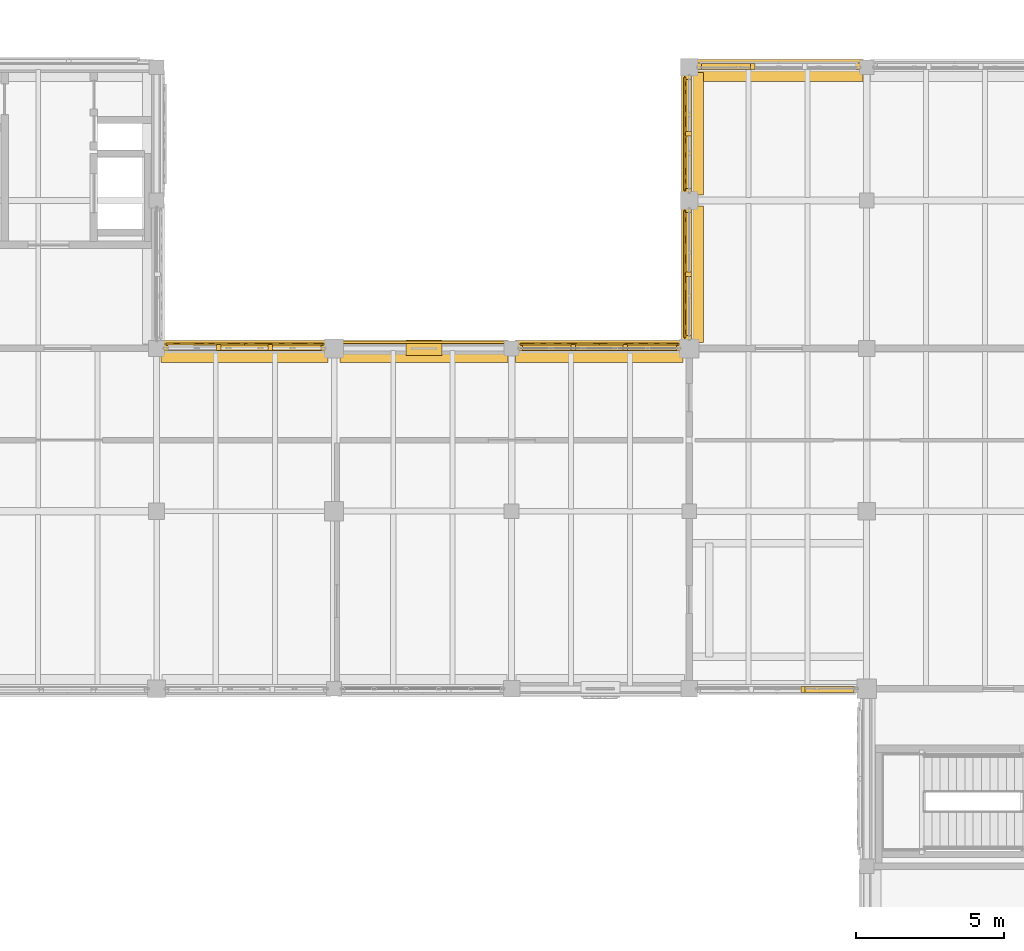
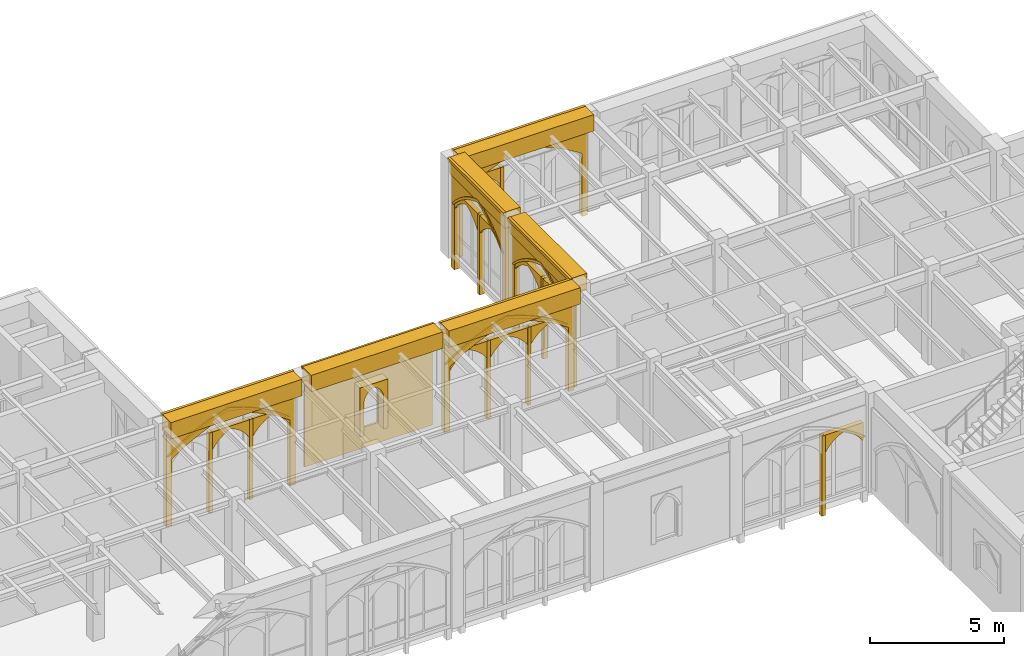
# One storey, part 123 of 143: 42 coverings.
"""IFC4 building model written with IfcOpenShell, lengths in metres."""

from ifc_helpers import new_model, si_unit, direction, frame, origin, origin_2d, place, context, subcontext, project, spatial, polyline, rectangle, outline, extrude, material, type_object, element, save


model = new_model("IFC4")

# Units and contexts
model_context = context("Model", 3, precision=1e-05, world=origin(), true_north=direction((0.0, 1.0)))
body_context = subcontext(model_context, "Body", "Model", "MODEL_VIEW")
ifc_project = project(units=[si_unit("LENGTHUNIT", "METRE"), si_unit("AREAUNIT", "SQUARE_METRE"), si_unit("VOLUMEUNIT", "CUBIC_METRE"), si_unit("PLANEANGLEUNIT", "RADIAN"), si_unit("MASSUNIT", "GRAM", prefix="KILO")], contexts=[model_context])

# Site, building, storey
site_placement = place(None, origin())
site = spatial("IfcSite", under=ifc_project, at=site_placement, CompositionType="ELEMENT")
building_placement = place(site_placement, origin())
building = spatial("IfcBuilding", under=site, at=building_placement, Name="Cumevento Cable Car Station", CompositionType="ELEMENT")
storey_placement = place(building_placement, frame((0.0, 0.0, 9.0)))
storey = spatial("IfcBuildingStorey", under=building, at=storey_placement, Name="L03", CompositionType="ELEMENT", Elevation=9.0)

# Coverings
ifc_material = material(Name="Gnaisse Facoidal Stone Ashlar 85 MPa", Category="masonry")
covering_type = type_object("IfcCoveringType", Name="Gnaisse Ashlar Cladding CV-CL01", PredefinedType="CLADDING", material=ifc_material)
covering_1_placement = place(storey_placement, frame((36.97509765625, 56.35009765625, 3.796875), z_axis=(0.0, 0.0, 1.0), x_axis=(1.0, 0.0, 0.0)))
element("IfcCovering", 1, at=covering_1_placement, inside=storey, type_object=covering_type, Name="Gothic Stone Spandrel Stringcourse sc:0631", PredefinedType="CLADDING", context=body_context, shape_type="SweptSolid", body=[
    extrude(rectangle(XDim=5.639892578125, YDim=0.659912109375, at=origin_2d()), origin(), (0.0, 0.0, 1.0), 0.7470703125),
])
covering_2_placement = place(storey_placement, frame((36.97509765625, 56.70751953125, 4.4140625), z_axis=(0.0, 0.0, 1.0), x_axis=(1.0, 0.0, 0.0)))
element("IfcCovering", 2, at=covering_2_placement, inside=storey, type_object=covering_type, Name="Gothic Cornice Dripstone Lip sc:0631", PredefinedType="CLADDING", context=body_context, shape_type="SweptSolid", body=[
    extrude(rectangle(XDim=5.679931640625, YDim=0.114990234375, at=origin_2d()), origin(), (0.0, 0.0, 1.0), 0.1298828125),
])
covering_3_placement = place(storey_placement, frame((43.03759765625, 56.35009765625, 3.8330078125), z_axis=(0.0, 0.0, 1.0), x_axis=(1.0, 0.0, 0.0)))
element("IfcCovering", 3, at=covering_3_placement, inside=storey, type_object=covering_type, Name="Gothic Stone Spandrel Stringcourse sc:0632", PredefinedType="CLADDING", context=body_context, shape_type="SweptSolid", body=[
    extrude(rectangle(XDim=5.6650390625, YDim=0.659912109375, at=origin_2d()), origin(), (0.0, 0.0, 1.0), 0.7470703125),
])
covering_4_placement = place(storey_placement, frame((43.03759765625, 56.70751953125, 4.449951171875), z_axis=(0.0, 0.0, 1.0), x_axis=(1.0, 0.0, 0.0)))
element("IfcCovering", 4, at=covering_4_placement, inside=storey, type_object=covering_type, Name="Gothic Cornice Dripstone Lip sc:0632", PredefinedType="CLADDING", context=body_context, shape_type="SweptSolid", body=[
    extrude(rectangle(XDim=5.705078125, YDim=0.114990234375, at=origin_2d()), origin(), (0.0, 0.0, 1.0), 0.1298828125),
])
covering_5_placement = place(storey_placement, frame((48.96240234375, 56.35009765625, 3.77294921875), z_axis=(0.0, 0.0, 1.0), x_axis=(1.0, 0.0, 0.0)))
element("IfcCovering", 5, at=covering_5_placement, inside=storey, type_object=covering_type, Name="Gothic Stone Spandrel Stringcourse sc:0633", PredefinedType="CLADDING", context=body_context, shape_type="SweptSolid", body=[
    extrude(rectangle(XDim=5.6650390625, YDim=0.659912109375, at=origin_2d()), origin(), (0.0, 0.0, 1.0), 0.7470703125),
])
covering_6_placement = place(storey_placement, frame((48.96240234375, 56.70751953125, 4.39013671875), z_axis=(0.0, 0.0, 1.0), x_axis=(1.0, 0.0, 0.0)))
element("IfcCovering", 6, at=covering_6_placement, inside=storey, type_object=covering_type, Name="Gothic Cornice Dripstone Lip sc:0633", PredefinedType="CLADDING", context=body_context, shape_type="SweptSolid", body=[
    extrude(rectangle(XDim=5.705078125, YDim=0.114990234375, at=origin_2d()), origin(), (0.0, 0.0, 1.0), 0.1298828125),
])
covering_7_placement = place(storey_placement, frame((55.02490234375, 65.85009765625, 3.77294921875), z_axis=(0.0, 0.0, 1.0), x_axis=(1.0, 0.0, 0.0)))
element("IfcCovering", 7, at=covering_7_placement, inside=storey, type_object=covering_type, Name="Gothic Stone Spandrel Stringcourse sc:0658", PredefinedType="CLADDING", context=body_context, shape_type="SweptSolid", body=[
    extrude(rectangle(XDim=5.68994140625, YDim=0.659912109375, at=origin_2d()), origin(), (0.0, 0.0, 1.0), 0.7470703125),
])
covering_8_placement = place(storey_placement, frame((55.02490234375, 66.20751953125, 4.39013671875), z_axis=(0.0, 0.0, 1.0), x_axis=(1.0, 0.0, 0.0)))
element("IfcCovering", 8, at=covering_8_placement, inside=storey, type_object=covering_type, Name="Gothic Cornice Dripstone Lip sc:0658", PredefinedType="CLADDING", context=body_context, shape_type="SweptSolid", body=[
    extrude(rectangle(XDim=5.72998046875, YDim=0.114990234375, at=origin_2d()), origin(), (0.0, 0.0, 1.0), 0.1298828125),
])
covering_9_placement = place(storey_placement, frame((52.14990234375, 59.012451171875, 3.77294921875), z_axis=(0.0, 0.0, 1.0), x_axis=(0.0, 1.0, 0.0)))
element("IfcCovering", 9, at=covering_9_placement, inside=storey, type_object=covering_type, Name="Gothic Stone Spandrel Stringcourse sc:0661", PredefinedType="CLADDING", context=body_context, shape_type="SweptSolid", body=[
    extrude(rectangle(XDim=4.614990234375, YDim=0.659912109375, at=origin_2d()), origin(), (0.0, 0.0, 1.0), 0.7470703125),
])
covering_10_placement = place(storey_placement, frame((51.79248046875, 59.012451171875, 4.39013671875), z_axis=(0.0, 0.0, 1.0), x_axis=(0.0, 1.0, 0.0)))
element("IfcCovering", 10, at=covering_10_placement, inside=storey, type_object=covering_type, Name="Gothic Cornice Dripstone Lip sc:0661", PredefinedType="CLADDING", context=body_context, shape_type="SweptSolid", body=[
    extrude(rectangle(XDim=4.655029296875, YDim=0.114990234375, at=origin_2d()), origin(), (0.0, 0.0, 1.0), 0.1298828125),
])
covering_11_placement = place(storey_placement, frame((52.14990234375, 63.75, 3.77294921875), z_axis=(0.0, 0.0, 1.0), x_axis=(0.0, 1.0, 0.0)))
element("IfcCovering", 11, at=covering_11_placement, inside=storey, type_object=covering_type, Name="Gothic Stone Spandrel Stringcourse sc:0662", PredefinedType="CLADDING", context=body_context, shape_type="SweptSolid", body=[
    extrude(rectangle(XDim=4.139892578125, YDim=0.659912109375, at=origin_2d()), origin(), (0.0, 0.0, 1.0), 0.7470703125),
])
covering_12_placement = place(storey_placement, frame((51.79248046875, 63.75, 4.39013671875), z_axis=(0.0, 0.0, 1.0), x_axis=(0.0, 1.0, 0.0)))
element("IfcCovering", 12, at=covering_12_placement, inside=storey, type_object=covering_type, Name="Gothic Cornice Dripstone Lip sc:0662", PredefinedType="CLADDING", context=body_context, shape_type="SweptSolid", body=[
    extrude(rectangle(XDim=4.179931640625, YDim=0.114990234375, at=origin_2d()), origin(), (0.0, 0.0, 1.0), 0.1298828125),
])
placement_1 = place(storey_placement, frame((34.27490234375, 56.5, -0.469970703125), z_axis=(0.0, 0.0, 1.0), x_axis=(1.0, 0.0, 0.0)))
element("IfcCovering", 13, at=placement_1, inside=storey, type_object=covering_type, Name="Gothic Ogival Pointed-Arch Stone Spandrel cw_ogival:0097", PredefinedType="CLADDING", context=body_context, shape_type="SweptSolid", body=[
    extrude(outline(polyline([(-0.080078125, 0.0), (-0.080078125, 4.406982421875), (5.47998046875, 4.406982421875), (5.47998046875, 0.0), (5.239990234375, 0.0), (5.239990234375, 3.01416015625), (4.95166015625, 3.218017578125), (4.653564453125, 3.4072265625), (4.34619140625, 3.5810546875), (4.0302734375, 3.7392578125), (3.70703125, 3.88134765625), (3.376953125, 4.0068359375), (3.041015625, 4.115478515625), (2.699951171875, 4.20703125), (2.35888671875, 4.115478515625), (2.02294921875, 4.0068359375), (1.69287109375, 3.88134765625), (1.36962890625, 3.7392578125), (1.0537109375, 3.5810546875), (0.746337890625, 3.4072265625), (0.4482421875, 3.218017578125), (0.159912109375, 3.01416015625), (0.159912109375, 0.0), (-0.080078125, 0.0)])), frame((0.0, 0.139892578125, 0.0), z_axis=(0.0, -1.0, 0.0), x_axis=(1.0, 0.0, 0.0)), (0.0, 0.0, 1.0), 0.219970703125),
])
covering_14_placement = place(storey_placement, frame((34.27490234375, 56.5, 2.544189453125), z_axis=(0.0, 0.0, 1.0), x_axis=(1.0, 0.0, 0.0)))
element("IfcCovering", 14, at=covering_14_placement, inside=storey, type_object=covering_type, Name="Gothic Pointed Archivolt Hood Moulding cw_ogival:0097", PredefinedType="CLADDING", context=body_context, shape_type="SweptSolid", body=[
    extrude(outline(polyline([(0.159912109375, 0.0), (0.4482421875, 0.203857421875), (0.746337890625, 0.39306640625), (1.0537109375, 0.56689453125), (1.36962890625, 0.72509765625), (1.69287109375, 0.8671875), (2.02294921875, 0.99267578125), (2.35888671875, 1.101318359375), (2.699951171875, 1.19287109375), (3.041015625, 1.101318359375), (3.376953125, 0.99267578125), (3.70703125, 0.8671875), (4.0302734375, 0.72509765625), (4.34619140625, 0.56689453125), (4.653564453125, 0.39306640625), (4.95166015625, 0.203857421875), (5.239990234375, 0.0), (5.35009765625, 0.0), (5.05322265625, 0.226806640625), (4.744873046875, 0.437255859375), (4.425537109375, 0.631103515625), (4.096435546875, 0.8076171875), (3.75830078125, 0.966064453125), (3.412109375, 1.1064453125), (3.05908203125, 1.22802734375), (2.699951171875, 1.330322265625), (2.3408203125, 1.22802734375), (1.98779296875, 1.1064453125), (1.6416015625, 0.966064453125), (1.303466796875, 0.8076171875), (0.974365234375, 0.631103515625), (0.655029296875, 0.437255859375), (0.3466796875, 0.226806640625), (0.050048828125, 0.0), (0.159912109375, 0.0)])), frame((0.0, 0.181884765625, 0.0), z_axis=(0.0, -1.0, 0.0), x_axis=(1.0, 0.0, 0.0)), (0.0, 0.0, 1.0), 0.06689453125),
])
element("IfcCovering", 15, at=placement_1, inside=storey, type_object=covering_type, Name="Gothic Bifora Stone Colonnette cw_ogival:0097 #1", PredefinedType="CLADDING", context=body_context, shape_type="SweptSolid", body=[
    extrude(outline(polyline([(1.75341796875, -0.02001953125), (1.9033203125, -0.02001953125), (1.9033203125, 3.634521484375), (1.75341796875, 3.634521484375), (1.75341796875, -0.02001953125)])), frame((0.0, 0.1279296875, 0.0), z_axis=(0.0, -1.0, 0.0), x_axis=(1.0, 0.0, 0.0)), (0.0, 0.0, 1.0), 0.205078125),
])
element("IfcCovering", 16, at=placement_1, inside=storey, type_object=covering_type, Name="Gothic Bifora Stone Colonnette cw_ogival:0097 #2", PredefinedType="CLADDING", context=body_context, shape_type="SweptSolid", body=[
    extrude(outline(polyline([(3.49658203125, -0.02001953125), (3.646728515625, -0.02001953125), (3.646728515625, 3.634521484375), (3.49658203125, 3.634521484375), (3.49658203125, -0.02001953125)])), frame((0.0, 0.1279296875, 0.0), z_axis=(0.0, -1.0, 0.0), x_axis=(1.0, 0.0, 0.0)), (0.0, 0.0, 1.0), 0.205078125),
])
for number, where, z_axis, x_axis, name in (
    (17, (36.1484375, 56.5, 2.364013671875), (0.0, 0.0, 1.0), (1.0, 0.0, 0.0), "Gothic Ogival Pointed-Arch Stone Spandrel cw_ogival:0097:sub:1"),
    (18, (37.8916015625, 56.5, 2.364013671875), (0.0, 0.0, 1.0), (1.0, 0.0, 0.0), "Gothic Ogival Pointed-Arch Stone Spandrel cw_ogival:0097:sub:2"),
):
    element("IfcCovering", number, at=place(storey_placement, frame(where, z_axis=z_axis, x_axis=x_axis)), inside=storey, type_object=covering_type, Name=name, PredefinedType="CLADDING", context=body_context, shape_type="SweptSolid", body=[
        extrude(outline(polyline([(-0.02001953125, 0.0), (-0.02001953125, 0.80029296875), (1.67333984375, 0.80029296875), (1.67333984375, 0.0), (1.61328125, 0.0), (1.51611328125, 0.147216796875), (1.403076171875, 0.28271484375), (1.2763671875, 0.4052734375), (1.13671875, 0.51318359375), (0.986328125, 0.605224609375), (0.82666015625, 0.680419921875), (0.6669921875, 0.605224609375), (0.5166015625, 0.51318359375), (0.376953125, 0.4052734375), (0.250244140625, 0.28271484375), (0.13720703125, 0.147216796875), (0.0400390625, 0.0), (-0.02001953125, 0.0)])), frame((0.0, 0.1240234375, 0.0), z_axis=(0.0, -1.0, 0.0), x_axis=(1.0, 0.0, 0.0)), (0.0, 0.0, 1.0), 0.199951171875),
    ])
placement_2 = place(storey_placement, frame((46.25, 56.5, -0.3701171875), z_axis=(0.0, 0.0, 1.0), x_axis=(1.0, 0.0, 0.0)))
element("IfcCovering", 19, at=placement_2, inside=storey, type_object=covering_type, Name="Gothic Ogival Pointed-Arch Stone Spandrel cw_ogival:0099", PredefinedType="CLADDING", context=body_context, shape_type="SweptSolid", body=[
    extrude(outline(polyline([(-0.080078125, 0.0), (-0.080078125, 4.282958984375), (5.5048828125, 4.282958984375), (5.5048828125, 0.0), (5.264892578125, 0.0), (5.264892578125, 2.934814453125), (4.97314453125, 3.131591796875), (4.671875, 3.313720703125), (4.3623046875, 3.481201171875), (4.044921875, 3.63330078125), (3.72021484375, 3.77001953125), (3.3896484375, 3.890380859375), (3.053466796875, 3.9951171875), (2.71240234375, 4.0830078125), (2.37158203125, 3.9951171875), (2.035400390625, 3.890380859375), (1.704833984375, 3.77001953125), (1.380126953125, 3.63330078125), (1.062744140625, 3.481201171875), (0.753173828125, 3.313720703125), (0.451904296875, 3.131591796875), (0.159912109375, 2.934814453125), (0.159912109375, 0.0), (-0.080078125, 0.0)])), frame((0.0, 0.139892578125, 0.0), z_axis=(0.0, -1.0, 0.0), x_axis=(1.0, 0.0, 0.0)), (0.0, 0.0, 1.0), 0.219970703125),
])
covering_18_placement = place(storey_placement, frame((46.25, 56.5, 2.564697265625), z_axis=(0.0, 0.0, 1.0), x_axis=(1.0, 0.0, 0.0)))
element("IfcCovering", 20, at=covering_18_placement, inside=storey, type_object=covering_type, Name="Gothic Pointed Archivolt Hood Moulding cw_ogival:0099", PredefinedType="CLADDING", context=body_context, shape_type="SweptSolid", body=[
    extrude(outline(polyline([(0.159912109375, 0.0), (0.451904296875, 0.19677734375), (0.753173828125, 0.37890625), (1.062744140625, 0.54638671875), (1.380126953125, 0.69873046875), (1.704833984375, 0.835205078125), (2.035400390625, 0.955810546875), (2.37158203125, 1.060302734375), (2.71240234375, 1.148193359375), (3.053466796875, 1.060302734375), (3.3896484375, 0.955810546875), (3.72021484375, 0.835205078125), (4.044921875, 0.69873046875), (4.3623046875, 0.54638671875), (4.671875, 0.37890625), (4.97314453125, 0.19677734375), (5.264892578125, 0.0), (5.375, 0.0), (5.074462890625, 0.219482421875), (4.762939453125, 0.42333984375), (4.44140625, 0.610595703125), (4.110595703125, 0.78125), (3.771240234375, 0.934326171875), (3.424560546875, 1.069580078125), (3.0712890625, 1.18701171875), (2.71240234375, 1.285888671875), (2.353759765625, 1.18701171875), (2.00048828125, 1.069580078125), (1.65380859375, 0.934326171875), (1.314453125, 0.78125), (0.983642578125, 0.610595703125), (0.662109375, 0.42333984375), (0.3505859375, 0.219482421875), (0.050048828125, 0.0), (0.159912109375, 0.0)])), frame((0.0, 0.181884765625, 0.0), z_axis=(0.0, -1.0, 0.0), x_axis=(1.0, 0.0, 0.0)), (0.0, 0.0, 1.0), 0.06689453125),
])
element("IfcCovering", 21, at=placement_2, inside=storey, type_object=covering_type, Name="Gothic Bifora Stone Colonnette cw_ogival:0099 #1", PredefinedType="CLADDING", context=body_context, shape_type="SweptSolid", body=[
    extrude(outline(polyline([(1.76171875, -0.02001953125), (1.91162109375, -0.02001953125), (1.91162109375, 3.53173828125), (1.76171875, 3.53173828125), (1.76171875, -0.02001953125)])), frame((0.0, 0.1279296875, 0.0), z_axis=(0.0, -1.0, 0.0), x_axis=(1.0, 0.0, 0.0)), (0.0, 0.0, 1.0), 0.205078125),
])
element("IfcCovering", 22, at=placement_2, inside=storey, type_object=covering_type, Name="Gothic Bifora Stone Colonnette cw_ogival:0099 #2", PredefinedType="CLADDING", context=body_context, shape_type="SweptSolid", body=[
    extrude(outline(polyline([(3.513427734375, -0.02001953125), (3.663330078125, -0.02001953125), (3.663330078125, 3.53173828125), (3.513427734375, 3.53173828125), (3.513427734375, -0.02001953125)])), frame((0.0, 0.1279296875, 0.0), z_axis=(0.0, -1.0, 0.0), x_axis=(1.0, 0.0, 0.0)), (0.0, 0.0, 1.0), 0.205078125),
])
for number, where, z_axis, x_axis, name in (
    (23, (46.3798828125, 56.5, 2.384765625), (0.0, 0.0, 1.0), (1.0, 0.0, 0.0), "Gothic Ogival Pointed-Arch Stone Spandrel cw_ogival:0099:sub:0"),
    (24, (48.131591796875, 56.5, 2.384765625), (0.0, 0.0, 1.0), (1.0, 0.0, 0.0), "Gothic Ogival Pointed-Arch Stone Spandrel cw_ogival:0099:sub:1"),
    (25, (49.88330078125, 56.5, 2.384765625), (0.0, 0.0, 1.0), (1.0, 0.0, 0.0), "Gothic Ogival Pointed-Arch Stone Spandrel cw_ogival:0099:sub:2"),
):
    element("IfcCovering", number, at=place(storey_placement, frame(where, z_axis=z_axis, x_axis=x_axis)), inside=storey, type_object=covering_type, Name=name, PredefinedType="CLADDING", context=body_context, shape_type="SweptSolid", body=[
        extrude(outline(polyline([(-0.02001953125, 0.0), (-0.02001953125, 0.777099609375), (1.681640625, 0.777099609375), (1.681640625, 0.0), (1.62158203125, 0.0), (1.521484375, 0.142578125), (1.406982421875, 0.27392578125), (1.279052734375, 0.39208984375), (1.139404296875, 0.49609375), (0.9892578125, 0.5849609375), (0.830810546875, 0.656982421875), (0.67236328125, 0.5849609375), (0.522216796875, 0.49609375), (0.382568359375, 0.39208984375), (0.254638671875, 0.27392578125), (0.14013671875, 0.142578125), (0.0400390625, 0.0), (-0.02001953125, 0.0)])), frame((0.0, 0.1240234375, 0.0), z_axis=(0.0, -1.0, 0.0), x_axis=(1.0, 0.0, 0.0)), (0.0, 0.0, 1.0), 0.199951171875),
    ])
covering_21_placement = place(storey_placement, frame((57.675048828125, 45.0, -0.52001953125), z_axis=(0.0, 0.0, 1.0), x_axis=(-1.0, 0.0, 0.0)))
element("IfcCovering", 26, at=covering_21_placement, inside=storey, type_object=covering_type, Name="Gothic Bifora Stone Colonnette cw_ogival:0104 #1", PredefinedType="CLADDING", context=body_context, shape_type="SweptSolid", body=[
    extrude(outline(polyline([(1.75341796875, -0.02001953125), (1.9033203125, -0.02001953125), (1.9033203125, 3.635986328125), (1.75341796875, 3.635986328125), (1.75341796875, -0.02001953125)])), frame((0.0, 0.1279296875, 0.0), z_axis=(0.0, -1.0, 0.0), x_axis=(1.0, 0.0, 0.0)), (0.0, 0.0, 1.0), 0.205078125),
])
covering_22_placement = place(storey_placement, frame((57.544921875, 45.0, 2.3154296875), z_axis=(0.0, 0.0, 1.0), x_axis=(-1.0, 0.0, 0.0)))
element("IfcCovering", 27, at=covering_22_placement, inside=storey, type_object=covering_type, Name="Gothic Ogival Pointed-Arch Stone Spandrel cw_ogival:0104:sub:0", PredefinedType="CLADDING", context=body_context, shape_type="SweptSolid", body=[
    extrude(outline(polyline([(-0.02001953125, 0.0), (-0.02001953125, 0.80078125), (1.67333984375, 0.80078125), (1.67333984375, 0.0), (1.61328125, 0.0), (1.51611328125, 0.147216796875), (1.4033203125, 0.282958984375), (1.2763671875, 0.405517578125), (1.13671875, 0.513427734375), (0.986328125, 0.60546875), (0.82666015625, 0.6806640625), (0.6669921875, 0.60546875), (0.5166015625, 0.513427734375), (0.376953125, 0.405517578125), (0.25, 0.282958984375), (0.13720703125, 0.147216796875), (0.0400390625, 0.0), (-0.02001953125, 0.0)])), frame((0.0, 0.1240234375, 0.0), z_axis=(0.0, -1.0, 0.0), x_axis=(1.0, 0.0, 0.0)), (0.0, 0.0, 1.0), 0.199951171875),
])
placement_3 = place(storey_placement, frame((52.300048828125, 66.0, -0.27001953125), z_axis=(0.0, 0.0, 1.0), x_axis=(1.0, 0.0, 0.0)))
element("IfcCovering", 28, at=placement_3, inside=storey, type_object=covering_type, Name="Gothic Ogival Pointed-Arch Stone Spandrel cw_ogival:0117", PredefinedType="CLADDING", context=body_context, shape_type="SweptSolid", body=[
    extrude(outline(polyline([(-0.080078125, 0.0), (-0.080078125, 4.18310546875), (5.530029296875, 4.18310546875), (5.530029296875, 0.0), (5.2900390625, 0.0), (5.2900390625, 2.87060546875), (4.99462890625, 3.0615234375), (4.69091796875, 3.23828125), (4.379150390625, 3.400390625), (4.06005859375, 3.5478515625), (3.734130859375, 3.679931640625), (3.402587890625, 3.797119140625), (3.06591796875, 3.897705078125), (2.72509765625, 3.98291015625), (2.384033203125, 3.897705078125), (2.04736328125, 3.797119140625), (1.7158203125, 3.679931640625), (1.389892578125, 3.5478515625), (1.07080078125, 3.400390625), (0.759033203125, 3.23828125), (0.455322265625, 3.0615234375), (0.159912109375, 2.87060546875), (0.159912109375, 0.0), (-0.080078125, 0.0)])), frame((0.0, 0.139892578125, 0.0), z_axis=(0.0, -1.0, 0.0), x_axis=(1.0, 0.0, 0.0)), (0.0, 0.0, 1.0), 0.219970703125),
])
element("IfcCovering", 29, at=placement_3, inside=storey, type_object=covering_type, Name="Gothic Bifora Stone Colonnette cw_ogival:0117 #1", PredefinedType="CLADDING", context=body_context, shape_type="SweptSolid", body=[
    extrude(outline(polyline([(1.77001953125, -0.02001953125), (1.919921875, -0.02001953125), (1.919921875, 3.44921875), (1.77001953125, 3.44921875), (1.77001953125, -0.02001953125)])), frame((0.0, 0.1279296875, 0.0), z_axis=(0.0, -1.0, 0.0), x_axis=(1.0, 0.0, 0.0)), (0.0, 0.0, 1.0), 0.205078125),
])
covering_25_placement = place(storey_placement, frame((52.429931640625, 66.0, 2.420654296875), z_axis=(0.0, 0.0, 1.0), x_axis=(1.0, 0.0, 0.0)))
element("IfcCovering", 30, at=covering_25_placement, inside=storey, type_object=covering_type, Name="Gothic Ogival Pointed-Arch Stone Spandrel cw_ogival:0117:sub:0", PredefinedType="CLADDING", context=body_context, shape_type="SweptSolid", body=[
    extrude(outline(polyline([(-0.02001953125, 0.0), (-0.02001953125, 0.75830078125), (1.68994140625, 0.75830078125), (1.68994140625, 0.0), (1.6298828125, 0.0), (1.527587890625, 0.138916015625), (1.411376953125, 0.2666015625), (1.282470703125, 0.381591796875), (1.142578125, 0.482421875), (0.99267578125, 0.568359375), (0.8349609375, 0.638427734375), (0.67724609375, 0.568359375), (0.52734375, 0.482421875), (0.387451171875, 0.381591796875), (0.258544921875, 0.2666015625), (0.142333984375, 0.138916015625), (0.0400390625, 0.0), (-0.02001953125, 0.0)])), frame((0.0, 0.1240234375, 0.0), z_axis=(0.0, -1.0, 0.0), x_axis=(1.0, 0.0, 0.0)), (0.0, 0.0, 1.0), 0.199951171875),
])
placement_4 = place(storey_placement, frame((52.0, 56.824951171875, -0.52001953125), z_axis=(0.0, 0.0, 1.0), x_axis=(0.0, 1.0, 0.0)))
element("IfcCovering", 31, at=placement_4, inside=storey, type_object=covering_type, Name="Gothic Ogival Pointed-Arch Stone Spandrel cw_ogival:0120", PredefinedType="CLADDING", context=body_context, shape_type="SweptSolid", body=[
    extrude(outline(polyline([(-0.080078125, 0.0), (-0.080078125, 4.43310546875), (4.455078125, 4.43310546875), (4.455078125, 0.0), (4.215087890625, 0.0), (4.215087890625, 3.03076171875), (3.997314453125, 3.23388671875), (3.767822265625, 3.423095703125), (3.52685546875, 3.59765625), (3.275634765625, 3.75732421875), (3.01513671875, 3.901123046875), (2.746337890625, 4.02880859375), (2.469970703125, 4.139404296875), (2.1875, 4.233154296875), (1.905029296875, 4.139404296875), (1.628662109375, 4.02880859375), (1.35986328125, 3.901123046875), (1.099365234375, 3.75732421875), (0.84814453125, 3.59765625), (0.607177734375, 3.423095703125), (0.377685546875, 3.23388671875), (0.159912109375, 3.03076171875), (0.159912109375, 0.0), (-0.080078125, 0.0)])), frame((0.0, 0.139892578125, 0.0), z_axis=(0.0, -1.0, 0.0), x_axis=(1.0, 0.0, 0.0)), (0.0, 0.0, 1.0), 0.219970703125),
])
covering_27_placement = place(storey_placement, frame((52.0, 56.824951171875, 2.5107421875), z_axis=(0.0, 0.0, 1.0), x_axis=(0.0, 1.0, 0.0)))
element("IfcCovering", 32, at=covering_27_placement, inside=storey, type_object=covering_type, Name="Gothic Pointed Archivolt Hood Moulding cw_ogival:0120", PredefinedType="CLADDING", context=body_context, shape_type="SweptSolid", body=[
    extrude(outline(polyline([(0.159912109375, 0.0), (0.377685546875, 0.203125), (0.607177734375, 0.392333984375), (0.84814453125, 0.56689453125), (1.099365234375, 0.7265625), (1.35986328125, 0.870361328125), (1.628662109375, 0.998046875), (1.905029296875, 1.108642578125), (2.1875, 1.202392578125), (2.469970703125, 1.108642578125), (2.746337890625, 0.998046875), (3.01513671875, 0.870361328125), (3.275634765625, 0.7265625), (3.52685546875, 0.56689453125), (3.767822265625, 0.392333984375), (3.997314453125, 0.203125), (4.215087890625, 0.0), (4.324951171875, 0.0), (4.099609375, 0.225341796875), (3.860107421875, 0.435791015625), (3.607421875, 0.63037109375), (3.343017578125, 0.808349609375), (3.067626953125, 0.96875), (2.782470703125, 1.111328125), (2.488525390625, 1.235107421875), (2.1875, 1.33984375), (1.886474609375, 1.235107421875), (1.592529296875, 1.111328125), (1.307373046875, 0.96875), (1.031982421875, 0.808349609375), (0.767578125, 0.63037109375), (0.514892578125, 0.435791015625), (0.275390625, 0.225341796875), (0.050048828125, 0.0), (0.159912109375, 0.0)])), frame((0.0, 0.181884765625, 0.0), z_axis=(0.0, -1.0, 0.0), x_axis=(1.0, 0.0, 0.0)), (0.0, 0.0, 1.0), 0.06689453125),
])
element("IfcCovering", 33, at=placement_4, inside=storey, type_object=covering_type, Name="Gothic Bifora Stone Colonnette cw_ogival:0120 #1", PredefinedType="CLADDING", context=body_context, shape_type="SweptSolid", body=[
    extrude(outline(polyline([(2.112548828125, -0.02001953125), (2.262451171875, -0.02001953125), (2.262451171875, 3.656005859375), (2.112548828125, 3.656005859375), (2.112548828125, -0.02001953125)])), frame((0.0, 0.1279296875, 0.0), z_axis=(0.0, -1.0, 0.0), x_axis=(1.0, 0.0, 0.0)), (0.0, 0.0, 1.0), 0.205078125),
])
for number, where, z_axis, x_axis, name in (
    (34, (52.0, 56.955078125, 2.330810546875), (0.0, 0.0, 1.0), (0.0, 1.0, 0.0), "Gothic Ogival Pointed-Arch Stone Spandrel cw_ogival:0120:sub:0"),
    (35, (52.0, 59.0576171875, 2.330810546875), (0.0, 0.0, 1.0), (0.0, 1.0, 0.0), "Gothic Ogival Pointed-Arch Stone Spandrel cw_ogival:0120:sub:1"),
):
    element("IfcCovering", number, at=place(storey_placement, frame(where, z_axis=z_axis, x_axis=x_axis)), inside=storey, type_object=covering_type, Name=name, PredefinedType="CLADDING", context=body_context, shape_type="SweptSolid", body=[
        extrude(outline(polyline([(-0.02001953125, 0.0), (-0.02001953125, 0.80517578125), (2.032470703125, 0.80517578125), (2.032470703125, 0.0), (1.972412109375, 0.0), (1.8408203125, 0.150634765625), (1.69580078125, 0.288330078125), (1.538330078125, 0.41162109375), (1.369873046875, 0.51953125), (1.19189453125, 0.61083984375), (1.00634765625, 0.685302734375), (0.820556640625, 0.61083984375), (0.642578125, 0.51953125), (0.47412109375, 0.41162109375), (0.316650390625, 0.288330078125), (0.171630859375, 0.150634765625), (0.0400390625, 0.0), (-0.02001953125, 0.0)])), frame((0.0, 0.1240234375, 0.0), z_axis=(0.0, -1.0, 0.0), x_axis=(1.0, 0.0, 0.0)), (0.0, 0.0, 1.0), 0.199951171875),
    ])
placement_5 = place(storey_placement, frame((52.0, 61.800048828125, -0.469970703125), z_axis=(0.0, 0.0, 1.0), x_axis=(0.0, 1.0, 0.0)))
element("IfcCovering", 36, at=placement_5, inside=storey, type_object=covering_type, Name="Gothic Ogival Pointed-Arch Stone Spandrel cw_ogival:0121", PredefinedType="CLADDING", context=body_context, shape_type="SweptSolid", body=[
    extrude(outline(polyline([(-0.080078125, 0.0), (-0.080078125, 4.383056640625), (3.97998046875, 4.383056640625), (3.97998046875, 0.0), (3.739990234375, 0.0), (3.739990234375, 2.998779296875), (3.5546875, 3.197265625), (3.3564453125, 3.3828125), (3.146240234375, 3.5546875), (2.925048828125, 3.7119140625), (2.693603515625, 3.85400390625), (2.453369140625, 3.98046875), (2.205078125, 4.090087890625), (1.949951171875, 4.18310546875), (1.69482421875, 4.090087890625), (1.446533203125, 3.98046875), (1.206298828125, 3.85400390625), (0.974853515625, 3.7119140625), (0.753662109375, 3.5546875), (0.54345703125, 3.3828125), (0.34521484375, 3.197265625), (0.159912109375, 2.998779296875), (0.159912109375, 0.0), (-0.080078125, 0.0)])), frame((0.0, 0.139892578125, 0.0), z_axis=(0.0, -1.0, 0.0), x_axis=(1.0, 0.0, 0.0)), (0.0, 0.0, 1.0), 0.219970703125),
])
covering_30_placement = place(storey_placement, frame((52.0, 61.800048828125, 2.52880859375), z_axis=(0.0, 0.0, 1.0), x_axis=(0.0, 1.0, 0.0)))
element("IfcCovering", 37, at=covering_30_placement, inside=storey, type_object=covering_type, Name="Gothic Pointed Archivolt Hood Moulding cw_ogival:0121", PredefinedType="CLADDING", context=body_context, shape_type="SweptSolid", body=[
    extrude(outline(polyline([(0.159912109375, 0.0), (0.34521484375, 0.198486328125), (0.54345703125, 0.384033203125), (0.753662109375, 0.555908203125), (0.974853515625, 0.713134765625), (1.206298828125, 0.855224609375), (1.446533203125, 0.981689453125), (1.69482421875, 1.09130859375), (1.949951171875, 1.184326171875), (2.205078125, 1.09130859375), (2.453369140625, 0.981689453125), (2.693603515625, 0.855224609375), (2.925048828125, 0.713134765625), (3.146240234375, 0.555908203125), (3.3564453125, 0.384033203125), (3.5546875, 0.198486328125), (3.739990234375, 0.0), (3.85009765625, 0.0), (3.656982421875, 0.220703125), (3.44921875, 0.42724609375), (3.2275390625, 0.618896484375), (2.992919921875, 0.794677734375), (2.74658203125, 0.953369140625), (2.48974609375, 1.0947265625), (2.223876953125, 1.2177734375), (1.949951171875, 1.32177734375), (1.676025390625, 1.2177734375), (1.41015625, 1.0947265625), (1.1533203125, 0.953369140625), (0.906982421875, 0.794677734375), (0.67236328125, 0.618896484375), (0.45068359375, 0.42724609375), (0.242919921875, 0.220703125), (0.050048828125, 0.0), (0.159912109375, 0.0)])), frame((0.0, 0.181884765625, 0.0), z_axis=(0.0, -1.0, 0.0), x_axis=(1.0, 0.0, 0.0)), (0.0, 0.0, 1.0), 0.06689453125),
])
element("IfcCovering", 38, at=placement_5, inside=storey, type_object=covering_type, Name="Gothic Bifora Stone Colonnette cw_ogival:0121 #1", PredefinedType="CLADDING", context=body_context, shape_type="SweptSolid", body=[
    extrude(outline(polyline([(1.875, -0.02001953125), (2.02490234375, -0.02001953125), (2.02490234375, 3.614501953125), (1.875, 3.614501953125), (1.875, -0.02001953125)])), frame((0.0, 0.1279296875, 0.0), z_axis=(0.0, -1.0, 0.0), x_axis=(1.0, 0.0, 0.0)), (0.0, 0.0, 1.0), 0.205078125),
])
for number, where, z_axis, x_axis, name in (
    (39, (52.0, 61.929931640625, 2.3486328125), (0.0, 0.0, 1.0), (0.0, 1.0, 0.0), "Gothic Ogival Pointed-Arch Stone Spandrel cw_ogival:0121:sub:0"),
    (40, (52.0, 63.794921875, 2.3486328125), (0.0, 0.0, 1.0), (0.0, 1.0, 0.0), "Gothic Ogival Pointed-Arch Stone Spandrel cw_ogival:0121:sub:1"),
):
    element("IfcCovering", number, at=place(storey_placement, frame(where, z_axis=z_axis, x_axis=x_axis)), inside=storey, type_object=covering_type, Name=name, PredefinedType="CLADDING", context=body_context, shape_type="SweptSolid", body=[
        extrude(outline(polyline([(-0.02001953125, 0.0), (-0.02001953125, 0.7958984375), (1.794921875, 0.7958984375), (1.794921875, 0.0), (1.735107421875, 0.0), (1.62548828125, 0.147216796875), (1.501220703125, 0.282470703125), (1.36376953125, 0.404052734375), (1.214599609375, 0.510986328125), (1.055419921875, 0.601806640625), (0.887451171875, 0.67578125), (0.719482421875, 0.601806640625), (0.560302734375, 0.510986328125), (0.4111328125, 0.404052734375), (0.273681640625, 0.282470703125), (0.1494140625, 0.147216796875), (0.0400390625, 0.0), (-0.02001953125, 0.0)])), frame((0.0, 0.1240234375, 0.0), z_axis=(0.0, -1.0, 0.0), x_axis=(1.0, 0.0, 0.0)), (0.0, 0.0, 1.0), 0.199951171875),
    ])
covering_32_placement = place(storey_placement, frame((40.324951171875, 56.5, 0.0), z_axis=(0.0, 0.0, 1.0), x_axis=(1.0, 0.0, 0.0)))
element("IfcCovering", 41, at=covering_32_placement, inside=storey, type_object=covering_type, Name="Exterior Gnaisse Stone Wall Ashlar #241", PredefinedType="CLADDING", context=body_context, shape_type="SweptSolid", body=[
    extrude(outline(polyline([(-0.0400390625, -0.02001953125), (5.465087890625, -0.02001953125), (5.465087890625, 3.9130859375), (-0.0400390625, 3.9130859375), (-0.0400390625, -0.02001953125)]), holes=[polyline([(2.297607421875, 0.909912109375), (3.12744140625, 0.909912109375), (3.12744140625, 2.840087890625), (2.297607421875, 2.840087890625), (2.297607421875, 0.909912109375)])]), frame((0.0, 0.2451171875, 0.0), z_axis=(0.0, -1.0, 0.0), x_axis=(1.0, 0.0, 0.0)), (0.0, 0.0, 1.0), 0.0849609375),
])
covering_33_placement = place(storey_placement, frame((42.472412109375, 56.5, 0.85009765625), z_axis=(0.0, 0.0, 1.0), x_axis=(1.0, 0.0, 0.0)))
element("IfcCovering", 42, at=covering_33_placement, inside=storey, type_object=covering_type, Name="Gothic Ogival Pointed-Arch Stone Spandrel op_ogival:0241:1", PredefinedType="CLADDING", context=body_context, shape_type="SweptSolid", body=[
    extrude(outline(polyline([(-0.0400390625, 0.0), (-0.0400390625, 2.219970703125), (1.169921875, 2.219970703125), (1.169921875, 0.0), (0.989990234375, 0.0), (0.989990234375, 1.4541015625), (0.97998046875, 1.56396484375), (0.95068359375, 1.67041015625), (0.90283203125, 1.77001953125), (0.838134765625, 1.859375), (0.75830078125, 1.935302734375), (0.666259765625, 1.99658203125), (0.56494140625, 2.039794921875), (0.463623046875, 1.99658203125), (0.37158203125, 1.935302734375), (0.291748046875, 1.859375), (0.22705078125, 1.77001953125), (0.17919921875, 1.67041015625), (0.14990234375, 1.56396484375), (0.139892578125, 1.4541015625), (0.139892578125, 0.0), (-0.0400390625, 0.0)])), frame((0.0, 0.282958984375, 0.0), z_axis=(0.0, -1.0, 0.0), x_axis=(1.0, 0.0, 0.0)), (0.0, 0.0, 1.0), 0.52001953125),
])

save(model, "model.ifc")
